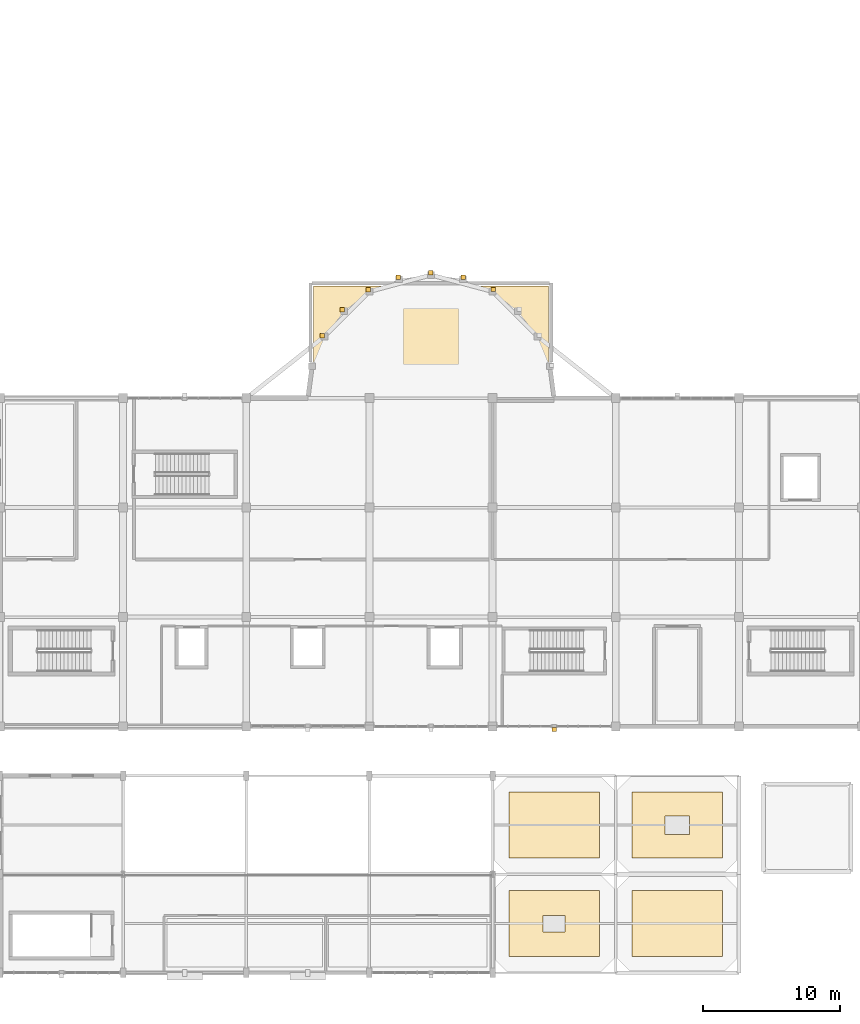
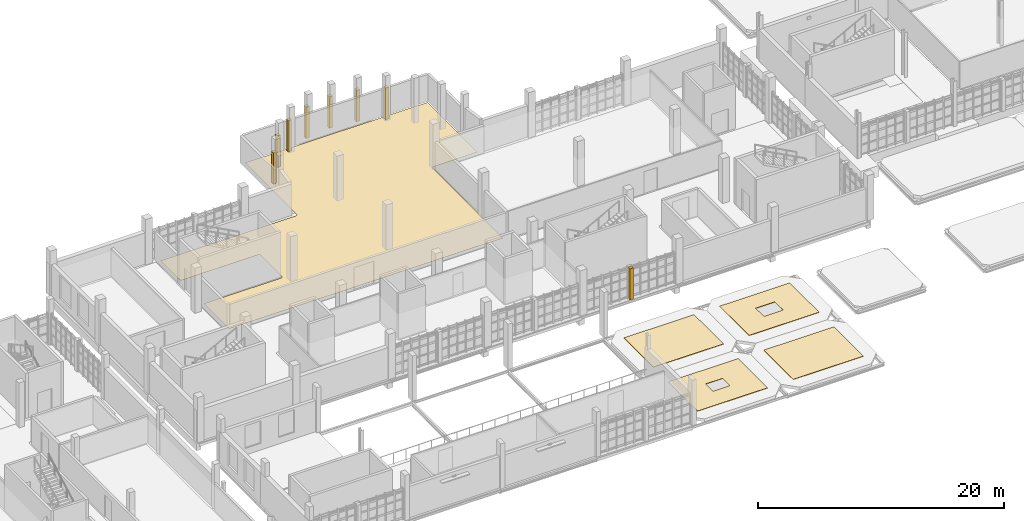
# One storey, part 117 of 125: 13 coverings.
"""IFC4 building model written with IfcOpenShell, lengths in metres."""

from ifc_helpers import new_model, si_unit, direction, frame, origin, place, context, subcontext, project, spatial, polyline, outline, extrude, material, layer, layer_set, type_object, element, save


model = new_model("IFC4")

# Units and contexts
model_context = context("Model", 3, precision=1e-05, world=origin(), true_north=direction((0.0, 1.0)))
body_context = subcontext(model_context, "Body", "Model", "MODEL_VIEW")
ifc_project = project(units=[si_unit("LENGTHUNIT", "METRE"), si_unit("AREAUNIT", "SQUARE_METRE"), si_unit("VOLUMEUNIT", "CUBIC_METRE"), si_unit("PLANEANGLEUNIT", "RADIAN"), si_unit("MASSUNIT", "GRAM", prefix="KILO")], contexts=[model_context])

# Site, building, storey
site_placement = place(None, origin())
site = spatial("IfcSite", under=ifc_project, at=site_placement, CompositionType="ELEMENT")
building_placement = place(site_placement, origin())
building = spatial("IfcBuilding", under=site, at=building_placement, Name="Serraforn Aerial Cableway Station", CompositionType="ELEMENT")
storey_placement = place(building_placement, frame((0.0, 0.0, 4.5)))
storey = spatial("IfcBuildingStorey", under=building, at=storey_placement, Name="L01", CompositionType="ELEMENT", Elevation=4.5)

# Coverings
ifc_material_1 = material(Name="Fluted patinated bronze Art Deco pilaster cladding")
ifc_layer_1 = layer(ifc_material_1, 0.034912109375)
ifc_layer_set_1 = layer_set([ifc_layer_1], Name="Fluted patinated bronze Art Deco pilaster cladding")
covering_type_1 = type_object("IfcCoveringType", Name="COV-CLAD-BRZ", PredefinedType="CLADDING", material=ifc_layer_set_1)
covering_1_placement = place(storey_placement, origin())
element("IfcCovering", 1, at=covering_1_placement, inside=storey, type_object=covering_type_1, Name="Art Deco Bronze Pilaster Cladding CV-L01-S5", PredefinedType="CLADDING", context=body_context, shape_type="SweptSolid", body=[
    extrude(outline(polyline([(67.93994140625, 17.6201171875), (68.260009765625, 17.6201171875), (68.260009765625, 17.93994140625), (67.93994140625, 17.93994140625), (67.93994140625, 17.6201171875)])), origin(), (0.0, 0.0, 1.0), 3.1201171875),
])
covering_2_placement = place(storey_placement, origin())
element("IfcCovering", 2, at=covering_2_placement, inside=storey, type_object=covering_type_1, Name="Art Deco Bronze Pilaster Cladding AP-L01-R2", PredefinedType="CLADDING", context=body_context, shape_type="SweptSolid", body=[
    extrude(outline(polyline([(51.002685546875, 46.3994140625), (51.322509765625, 46.3994140625), (51.322509765625, 46.71923828125), (51.002685546875, 46.71923828125), (51.002685546875, 46.3994140625)])), origin(), (0.0, 0.0, 1.0), 3.1201171875),
])
covering_3_placement = place(storey_placement, origin())
element("IfcCovering", 3, at=covering_3_placement, inside=storey, type_object=covering_type_1, Name="Art Deco Bronze Pilaster Cladding AP-L01-R3", PredefinedType="CLADDING", context=body_context, shape_type="SweptSolid", body=[
    extrude(outline(polyline([(52.452880859375, 48.29833984375), (52.77294921875, 48.29833984375), (52.77294921875, 48.618408203125), (52.452880859375, 48.618408203125), (52.452880859375, 48.29833984375)])), origin(), (0.0, 0.0, 1.0), 3.1201171875),
])
covering_4_placement = place(storey_placement, origin())
element("IfcCovering", 4, at=covering_4_placement, inside=storey, type_object=covering_type_1, Name="Art Deco Bronze Pilaster Cladding AP-L01-R4", PredefinedType="CLADDING", context=body_context, shape_type="SweptSolid", body=[
    extrude(outline(polyline([(54.345703125, 49.757080078125), (54.66552734375, 49.757080078125), (54.66552734375, 50.0771484375), (54.345703125, 50.0771484375), (54.345703125, 49.757080078125)])), origin(), (0.0, 0.0, 1.0), 3.1201171875),
])
covering_5_placement = place(storey_placement, origin())
element("IfcCovering", 5, at=covering_5_placement, inside=storey, type_object=covering_type_1, Name="Art Deco Bronze Pilaster Cladding AP-L01-R5", PredefinedType="CLADDING", context=body_context, shape_type="SweptSolid", body=[
    extrude(outline(polyline([(56.55126953125, 50.676513671875), (56.871337890625, 50.676513671875), (56.871337890625, 50.99658203125), (56.55126953125, 50.99658203125), (56.55126953125, 50.676513671875)])), origin(), (0.0, 0.0, 1.0), 3.1201171875),
])
covering_6_placement = place(storey_placement, origin())
element("IfcCovering", 6, at=covering_6_placement, inside=storey, type_object=covering_type_1, Name="Art Deco Bronze Pilaster Cladding AP-L01-R6", PredefinedType="CLADDING", context=body_context, shape_type="SweptSolid", body=[
    extrude(outline(polyline([(58.919921875, 50.99365234375), (59.23974609375, 50.99365234375), (59.23974609375, 51.313720703125), (58.919921875, 51.313720703125), (58.919921875, 50.99365234375)])), origin(), (0.0, 0.0, 1.0), 3.1201171875),
])
covering_7_placement = place(storey_placement, origin())
element("IfcCovering", 7, at=covering_7_placement, inside=storey, type_object=covering_type_1, Name="Art Deco Bronze Pilaster Cladding AP-L01-R7", PredefinedType="CLADDING", context=body_context, shape_type="SweptSolid", body=[
    extrude(outline(polyline([(61.28955078125, 50.68701171875), (61.609619140625, 50.68701171875), (61.609619140625, 51.007080078125), (61.28955078125, 51.007080078125), (61.28955078125, 50.68701171875)])), origin(), (0.0, 0.0, 1.0), 3.1201171875),
])
covering_8_placement = place(storey_placement, origin())
element("IfcCovering", 8, at=covering_8_placement, inside=storey, type_object=covering_type_1, Name="Art Deco Bronze Pilaster Cladding AP-L01-R8", PredefinedType="CLADDING", context=body_context, shape_type="SweptSolid", body=[
    extrude(outline(polyline([(63.499267578125, 49.77734375), (63.8193359375, 49.77734375), (63.8193359375, 50.097412109375), (63.499267578125, 50.097412109375), (63.499267578125, 49.77734375)])), origin(), (0.0, 0.0, 1.0), 3.1201171875),
])
ifc_material_2 = material(Name="Heavy-duty non-slip quartz epoxy floor")
ifc_layer_2 = layer(ifc_material_2, 0.014892578125)
ifc_layer_set_2 = layer_set([ifc_layer_2], Name="Heavy-duty non-slip quartz epoxy floor")
covering_type_2 = type_object("IfcCoveringType", Name="COV-FLR-EPOX", PredefinedType="FLOORING", material=ifc_layer_set_2)
covering_9_placement = place(storey_placement, origin())
element("IfcCovering", 9, at=covering_9_placement, inside=storey, type_object=covering_type_2, Name="Flooring L01-06", PredefinedType="FLOORING", context=body_context, shape_type="SweptSolid", body=[
    extrude(outline(polyline([(37.6201171875, 30.419921875), (37.6201171875, 34.5400390625), (44.840087890625, 34.5400390625), (44.861572265625, 34.541015625), (44.8828125, 34.544189453125), (44.90380859375, 34.549560546875), (44.92431640625, 34.556640625), (44.943603515625, 34.56591796875), (44.962158203125, 34.5771484375), (44.9794921875, 34.58984375), (44.99560546875, 34.6044921875), (45.010009765625, 34.620361328125), (45.02294921875, 34.6376953125), (45.033935546875, 34.65625), (45.043212890625, 34.67578125), (45.050537109375, 34.696044921875), (45.055908203125, 34.717041015625), (45.058837890625, 34.73828125), (45.06005859375, 34.760009765625), (45.06005859375, 38.10009765625), (45.058837890625, 38.12158203125), (45.055908203125, 38.142822265625), (45.050537109375, 38.163818359375), (45.043212890625, 38.18408203125), (45.033935546875, 38.20361328125), (45.02294921875, 38.22216796875), (45.010009765625, 38.239501953125), (44.99560546875, 38.255615234375), (44.9794921875, 38.27001953125), (44.962158203125, 38.282958984375), (44.943603515625, 38.2939453125), (44.92431640625, 38.30322265625), (44.90380859375, 38.310546875), (44.8828125, 38.31591796875), (44.861572265625, 38.31884765625), (44.840087890625, 38.320068359375), (37.6201171875, 38.320068359375), (37.6201171875, 41.580078125), (50.300048828125, 41.580078125), (50.321533203125, 41.5810546875), (50.343017578125, 41.584228515625), (50.364013671875, 41.589599609375), (50.38427734375, 41.5966796875), (50.40380859375, 41.60595703125), (50.422119140625, 41.6171875), (50.439697265625, 41.6298828125), (50.45556640625, 41.644287109375), (50.47021484375, 41.660400390625), (50.48291015625, 41.677734375), (50.493896484375, 41.6962890625), (50.50341796875, 41.7158203125), (50.510498046875, 41.736083984375), (50.515869140625, 41.757080078125), (50.518798828125, 41.7783203125), (50.52001953125, 41.800048828125), (50.52001953125, 50.179931640625), (67.679931640625, 50.179931640625), (67.679931640625, 42.02001953125), (63.60009765625, 42.02001953125), (63.578369140625, 42.018798828125), (63.55712890625, 42.015869140625), (63.5361328125, 42.010498046875), (63.515869140625, 42.00341796875), (63.496337890625, 41.993896484375), (63.477783203125, 41.98291015625), (63.46044921875, 41.97021484375), (63.4443359375, 41.95556640625), (63.429931640625, 41.939697265625), (63.4169921875, 41.922119140625), (63.406005859375, 41.90380859375), (63.396728515625, 41.88427734375), (63.389404296875, 41.864013671875), (63.38427734375, 41.843017578125), (63.381103515625, 41.821533203125), (63.3798828125, 41.800048828125), (63.3798828125, 30.419921875), (37.6201171875, 30.419921875)])), origin(), (0.0, 0.0, 1.0), 0.014892578125),
])
ifc_material_3 = material(Name="Standing-seam patinated copper roofing")
ifc_layer_3 = layer(ifc_material_3, 0.0400390625)
ifc_layer_set_3 = layer_set([ifc_layer_3], Name="Standing-seam patinated copper roofing")
covering_type_3 = type_object("IfcCoveringType", Name="COV-ROOF-COP", PredefinedType="ROOFING", material=ifc_layer_set_3)
covering_10_placement = place(storey_placement, origin())
element("IfcCovering", 10, at=covering_10_placement, inside=storey, type_object=covering_type_3, Name="Roof Covering CF-L01-5-1", PredefinedType="ROOFING", context=body_context, shape_type="SweptSolid", body=[
    extrude(outline(polyline([(64.800048828125, 1.199951171875), (71.39990234375, 1.199951171875), (71.39990234375, 6.0), (64.800048828125, 6.0), (64.800048828125, 1.199951171875)]), holes=[polyline([(67.300048828125, 3.0), (68.89990234375, 3.0), (68.89990234375, 4.199951171875), (67.300048828125, 4.199951171875), (67.300048828125, 3.0)])]), origin(), (0.0, 0.0, 1.0), 0.0400390625),
])
covering_11_placement = place(storey_placement, origin())
element("IfcCovering", 11, at=covering_11_placement, inside=storey, type_object=covering_type_3, Name="Roof Covering CF-L01-5-2", PredefinedType="ROOFING", context=body_context, shape_type="SweptSolid", body=[
    extrude(outline(polyline([(64.800048828125, 8.39990234375), (71.39990234375, 8.39990234375), (71.39990234375, 13.199951171875), (64.800048828125, 13.199951171875), (64.800048828125, 8.39990234375)])), origin(), (0.0, 0.0, 1.0), 0.0400390625),
])
covering_12_placement = place(storey_placement, origin())
element("IfcCovering", 12, at=covering_12_placement, inside=storey, type_object=covering_type_3, Name="Roof Covering CF-L01-6-1", PredefinedType="ROOFING", context=body_context, shape_type="SweptSolid", body=[
    extrude(outline(polyline([(73.800048828125, 1.199951171875), (80.39990234375, 1.199951171875), (80.39990234375, 6.0), (73.800048828125, 6.0), (73.800048828125, 1.199951171875)])), origin(), (0.0, 0.0, 1.0), 0.0400390625),
])
covering_13_placement = place(storey_placement, origin())
element("IfcCovering", 13, at=covering_13_placement, inside=storey, type_object=covering_type_3, Name="Roof Covering CF-L01-6-2", PredefinedType="ROOFING", context=body_context, shape_type="SweptSolid", body=[
    extrude(outline(polyline([(73.800048828125, 8.39990234375), (80.39990234375, 8.39990234375), (80.39990234375, 13.199951171875), (73.800048828125, 13.199951171875), (73.800048828125, 8.39990234375)]), holes=[polyline([(76.199951171875, 10.125), (78.0, 10.125), (78.0, 11.47509765625), (76.199951171875, 11.47509765625), (76.199951171875, 10.125)])]), origin(), (0.0, 0.0, 1.0), 0.0400390625),
])

save(model, "model.ifc")
